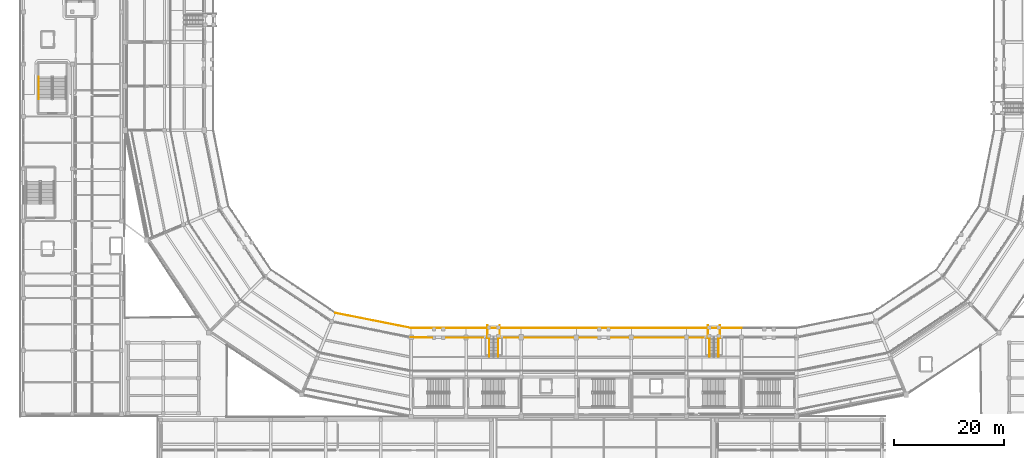
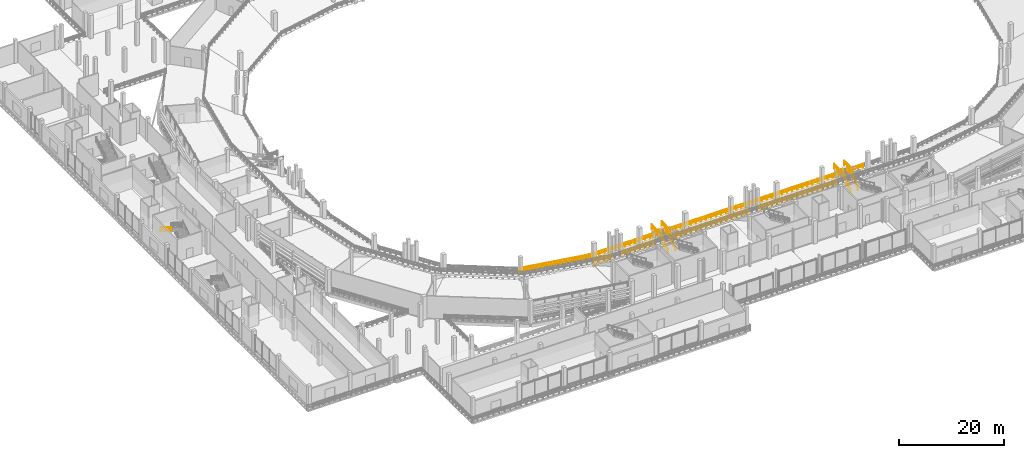
# One storey, part 102 of 127: 16 railings.
"""IFC4 building model written with IfcOpenShell, lengths in metres."""

from ifc_helpers import new_model, si_unit, direction, frame, origin, origin_2d, place, context, subcontext, project, spatial, circle, extrude, material, layer, layer_set, type_object, element, save


model = new_model("IFC4")

# Units and contexts
model_context = context("Model", 3, precision=1e-05, world=origin(), true_north=direction((0.0, 1.0)))
body_context = subcontext(model_context, "Body", "Model", "MODEL_VIEW")
ifc_project = project(units=[si_unit("LENGTHUNIT", "METRE"), si_unit("AREAUNIT", "SQUARE_METRE"), si_unit("VOLUMEUNIT", "CUBIC_METRE"), si_unit("PLANEANGLEUNIT", "RADIAN"), si_unit("MASSUNIT", "GRAM", prefix="KILO")], contexts=[model_context])

# Site, building, storey
site_placement = place(None, origin())
site = spatial("IfcSite", under=ifc_project, at=site_placement, CompositionType="ELEMENT")
building_placement = place(site_placement, origin())
building = spatial("IfcBuilding", under=site, at=building_placement, Name="Candeia Ridge Stadium", CompositionType="ELEMENT")
storey_placement = place(building_placement, frame((0.0, 0.0, 10.800048828125)))
storey = spatial("IfcBuildingStorey", under=building, at=storey_placement, Name="L02", CompositionType="ELEMENT", Elevation=10.800048828125)

# Railings
ifc_material_1 = material(Name="Galvanized Powder-Coated Steel", Category="steel")
ifc_layer_1 = layer(ifc_material_1, 0.074951171875, Name="Galvanized Powder-Coated Steel", Category="steel")
ifc_layer_set_1 = layer_set([ifc_layer_1], Name="Galvanized Powder-Coated Steel")
railing_type_1 = type_object("IfcRailingType", Name="Spectator Bowl Front Guardrail 1120", PredefinedType="GUARDRAIL", material=ifc_layer_set_1)
railing_1_placement = place(storey_placement, frame((57.25390625, 37.814208984375, 0.39990234375)))
element("IfcRailing", 1, at=railing_1_placement, inside=storey, type_object=railing_type_1, Name="Stand T2 front safety guardrail bay 18", PredefinedType="GUARDRAIL", context=body_context, shape_type="SweptSolid", body=[
    extrude(circle(Radius=0.02392578125, at=origin_2d()), frame((0.0, 0.0, 1.09619140625), z_axis=(0.980787153323, -0.195080905976, 0.0), x_axis=(0.195080905976, 0.980787153323, 0.0)), (0.0, 0.0, 1.0), 14.015380859375),
    extrude(circle(Radius=0.02392578125, at=origin_2d()), frame((0.0, 0.0, 0.56005859375), z_axis=(0.980787153323, -0.195080905976, 0.0), x_axis=(0.195080905976, 0.980787153323, 0.0)), (0.0, 0.0, 1.0), 14.015380859375),
    extrude(circle(Radius=0.02099609375, at=origin_2d()), origin(), (0.0, 0.0, 1.0), 1.072021484375),
    extrude(circle(Radius=0.02099609375, at=origin_2d()), frame((1.1455078125, -0.227783203125, 0.0)), (0.0, 0.0, 1.0), 1.072021484375),
    extrude(circle(Radius=0.02099609375, at=origin_2d()), frame((2.291015625, -0.45556640625, 0.0)), (0.0, 0.0, 1.0), 1.072021484375),
    extrude(circle(Radius=0.02099609375, at=origin_2d()), frame((3.4365234375, -0.68359375, 0.0)), (0.0, 0.0, 1.0), 1.072021484375),
    extrude(circle(Radius=0.02099609375, at=origin_2d()), frame((4.58203125, -0.911376953125, 0.0)), (0.0, 0.0, 1.0), 1.072021484375),
    extrude(circle(Radius=0.02099609375, at=origin_2d()), frame((5.7275390625, -1.13916015625, 0.0)), (0.0, 0.0, 1.0), 1.072021484375),
    extrude(circle(Radius=0.02099609375, at=origin_2d()), frame((6.873046875, -1.3671875, 0.0)), (0.0, 0.0, 1.0), 1.072021484375),
    extrude(circle(Radius=0.02099609375, at=origin_2d()), frame((8.0185546875, -1.594970703125, 0.0)), (0.0, 0.0, 1.0), 1.072021484375),
    extrude(circle(Radius=0.02099609375, at=origin_2d()), frame((9.1640625, -1.82275390625, 0.0)), (0.0, 0.0, 1.0), 1.072021484375),
    extrude(circle(Radius=0.02099609375, at=origin_2d()), frame((10.3095703125, -2.050537109375, 0.0)), (0.0, 0.0, 1.0), 1.072021484375),
    extrude(circle(Radius=0.02099609375, at=origin_2d()), frame((11.455078125, -2.2783203125, 0.0)), (0.0, 0.0, 1.0), 1.072021484375),
    extrude(circle(Radius=0.02099609375, at=origin_2d()), frame((12.6005859375, -2.50634765625, 0.0)), (0.0, 0.0, 1.0), 1.072021484375),
    extrude(circle(Radius=0.02099609375, at=origin_2d()), frame((13.74609375, -2.734130859375, 0.0)), (0.0, 0.0, 1.0), 1.072021484375),
])
for number, where, name in (
    (2, (71.0, 35.080078125, 0.39990234375), "Stand T2 front safety guardrail bay 19"),
    (3, (81.0, 35.080078125, 0.39990234375), "Stand T2 front safety guardrail bay 20"),
    (4, (91.0, 35.080078125, 0.39990234375), "Stand T2 front safety guardrail bay 21"),
    (5, (101.0, 35.080078125, 0.39990234375), "Stand T2 front safety guardrail bay 22"),
    (6, (111.0, 35.080078125, 0.39990234375), "Stand T2 front safety guardrail bay 23"),
    (7, (121.0, 35.080078125, 0.39990234375), "Stand T2 front safety guardrail bay 24"),
):
    element("IfcRailing", number, at=place(storey_placement, frame(where)), inside=storey, type_object=railing_type_1, Name=name, PredefinedType="GUARDRAIL", context=body_context, shape_type="SweptSolid", body=[
        extrude(circle(Radius=0.02392578125, at=origin_2d()), frame((0.0, 0.0, 1.09619140625), z_axis=(1.0, 0.0, 0.0), x_axis=(0.0, 1.0, 0.0)), (0.0, 0.0, 1.0), 10.0),
        extrude(circle(Radius=0.02392578125, at=origin_2d()), frame((0.0, 0.0, 0.56005859375), z_axis=(1.0, 0.0, 0.0), x_axis=(0.0, 1.0, 0.0)), (0.0, 0.0, 1.0), 10.0),
        extrude(circle(Radius=0.02099609375, at=origin_2d()), origin(), (0.0, 0.0, 1.0), 1.072021484375),
        extrude(circle(Radius=0.02099609375, at=origin_2d()), frame((1.111083984375, 0.0, 0.0)), (0.0, 0.0, 1.0), 1.072021484375),
        extrude(circle(Radius=0.02099609375, at=origin_2d()), frame((2.22216796875, 0.0, 0.0)), (0.0, 0.0, 1.0), 1.072021484375),
        extrude(circle(Radius=0.02099609375, at=origin_2d()), frame((3.333251953125, 0.0, 0.0)), (0.0, 0.0, 1.0), 1.072021484375),
        extrude(circle(Radius=0.02099609375, at=origin_2d()), frame((4.4443359375, 0.0, 0.0)), (0.0, 0.0, 1.0), 1.072021484375),
        extrude(circle(Radius=0.02099609375, at=origin_2d()), frame((5.5556640625, 0.0, 0.0)), (0.0, 0.0, 1.0), 1.072021484375),
        extrude(circle(Radius=0.02099609375, at=origin_2d()), frame((6.666748046875, 0.0, 0.0)), (0.0, 0.0, 1.0), 1.072021484375),
        extrude(circle(Radius=0.02099609375, at=origin_2d()), frame((7.77783203125, 0.0, 0.0)), (0.0, 0.0, 1.0), 1.072021484375),
        extrude(circle(Radius=0.02099609375, at=origin_2d()), frame((8.888916015625, 0.0, 0.0)), (0.0, 0.0, 1.0), 1.072021484375),
        extrude(circle(Radius=0.02099609375, at=origin_2d()), frame((10.0, 0.0, 0.0)), (0.0, 0.0, 1.0), 1.072021484375),
    ])
railing_2_placement = place(storey_placement, frame((71.0, 33.39990234375, 0.0)))
element("IfcRailing", 8, at=railing_2_placement, inside=storey, type_object=railing_type_1, Name="Deck edge safety guardrail GR-DE-L02-0081", PredefinedType="GUARDRAIL", context=body_context, shape_type="SweptSolid", body=[
    extrude(circle(Radius=0.02392578125, at=origin_2d()), frame((0.0, 0.0, 1.09619140625), z_axis=(0.99978054811, -0.02094888115, 0.0), x_axis=(0.02094888115, 0.99978054811, 0.0)), (0.0, 0.0, 1.0), 3.810791015625),
    extrude(circle(Radius=0.02392578125, at=origin_2d()), frame((0.0, 0.0, 0.56005859375), z_axis=(0.99978054811, -0.02094888115, 0.0), x_axis=(0.02094888115, 0.99978054811, 0.0)), (0.0, 0.0, 1.0), 3.810791015625),
    extrude(circle(Radius=0.02099609375, at=origin_2d()), origin(), (0.0, 0.0, 1.0), 1.072021484375),
    extrude(circle(Radius=0.02099609375, at=origin_2d()), frame((0.95263671875, -0.02001953125, 0.0)), (0.0, 0.0, 1.0), 1.072021484375),
    extrude(circle(Radius=0.02099609375, at=origin_2d()), frame((1.905029296875, -0.0400390625, 0.0)), (0.0, 0.0, 1.0), 1.072021484375),
    extrude(circle(Radius=0.02099609375, at=origin_2d()), frame((2.857421875, -0.059814453125, 0.0)), (0.0, 0.0, 1.0), 1.072021484375),
    extrude(circle(Radius=0.02099609375, at=origin_2d()), frame((3.81005859375, -0.079833984375, 0.0)), (0.0, 0.0, 1.0), 1.072021484375),
])
railing_3_placement = place(storey_placement, frame((77.18994140625, 33.320068359375, 0.0)))
element("IfcRailing", 9, at=railing_3_placement, inside=storey, type_object=railing_type_1, Name="Deck edge safety guardrail GR-DE-L02-0082", PredefinedType="GUARDRAIL", context=body_context, shape_type="SweptSolid", body=[
    extrude(circle(Radius=0.02392578125, at=origin_2d()), frame((0.0, 0.0, 1.09619140625), z_axis=(1.0, 0.0, 0.0), x_axis=(0.0, 1.0, 0.0)), (0.0, 0.0, 1.0), 6.90771484375),
    extrude(circle(Radius=0.02392578125, at=origin_2d()), frame((0.0, 0.0, 0.56005859375), z_axis=(1.0, 0.0, 0.0), x_axis=(0.0, 1.0, 0.0)), (0.0, 0.0, 1.0), 6.90771484375),
    extrude(circle(Radius=0.02099609375, at=origin_2d()), origin(), (0.0, 0.0, 1.0), 1.072021484375),
    extrude(circle(Radius=0.02099609375, at=origin_2d()), frame((1.1513671875, 0.0, 0.0)), (0.0, 0.0, 1.0), 1.072021484375),
    extrude(circle(Radius=0.02099609375, at=origin_2d()), frame((2.302490234375, 0.0, 0.0)), (0.0, 0.0, 1.0), 1.072021484375),
    extrude(circle(Radius=0.02099609375, at=origin_2d()), frame((3.453857421875, 0.0, 0.0)), (0.0, 0.0, 1.0), 1.072021484375),
    extrude(circle(Radius=0.02099609375, at=origin_2d()), frame((4.605224609375, 0.0, 0.0)), (0.0, 0.0, 1.0), 1.072021484375),
    extrude(circle(Radius=0.02099609375, at=origin_2d()), frame((5.75634765625, 0.0, 0.0)), (0.0, 0.0, 1.0), 1.072021484375),
    extrude(circle(Radius=0.02099609375, at=origin_2d()), frame((6.90771484375, 0.0, 0.0)), (0.0, 0.0, 1.0), 1.072021484375),
])
railing_4_placement = place(storey_placement, frame((87.90234375, 33.320068359375, 0.0)))
element("IfcRailing", 10, at=railing_4_placement, inside=storey, type_object=railing_type_1, Name="Deck edge safety guardrail GR-DE-L02-0083", PredefinedType="GUARDRAIL", context=body_context, shape_type="SweptSolid", body=[
    extrude(circle(Radius=0.02392578125, at=origin_2d()), frame((0.0, 0.0, 1.09619140625), z_axis=(1.0, 0.0, 0.0), x_axis=(0.0, 1.0, 0.0)), (0.0, 0.0, 1.0), 16.90771484375),
    extrude(circle(Radius=0.02392578125, at=origin_2d()), frame((0.0, 0.0, 0.56005859375), z_axis=(1.0, 0.0, 0.0), x_axis=(0.0, 1.0, 0.0)), (0.0, 0.0, 1.0), 16.90771484375),
    extrude(circle(Radius=0.02099609375, at=origin_2d()), origin(), (0.0, 0.0, 1.0), 1.072021484375),
    extrude(circle(Radius=0.02099609375, at=origin_2d()), frame((1.127197265625, 0.0, 0.0)), (0.0, 0.0, 1.0), 1.072021484375),
    extrude(circle(Radius=0.02099609375, at=origin_2d()), frame((2.25439453125, 0.0, 0.0)), (0.0, 0.0, 1.0), 1.072021484375),
    extrude(circle(Radius=0.02099609375, at=origin_2d()), frame((3.381591796875, 0.0, 0.0)), (0.0, 0.0, 1.0), 1.072021484375),
    extrude(circle(Radius=0.02099609375, at=origin_2d()), frame((4.5087890625, 0.0, 0.0)), (0.0, 0.0, 1.0), 1.072021484375),
    extrude(circle(Radius=0.02099609375, at=origin_2d()), frame((5.635986328125, 0.0, 0.0)), (0.0, 0.0, 1.0), 1.072021484375),
    extrude(circle(Radius=0.02099609375, at=origin_2d()), frame((6.76318359375, 0.0, 0.0)), (0.0, 0.0, 1.0), 1.072021484375),
    extrude(circle(Radius=0.02099609375, at=origin_2d()), frame((7.890380859375, 0.0, 0.0)), (0.0, 0.0, 1.0), 1.072021484375),
    extrude(circle(Radius=0.02099609375, at=origin_2d()), frame((9.017333984375, 0.0, 0.0)), (0.0, 0.0, 1.0), 1.072021484375),
    extrude(circle(Radius=0.02099609375, at=origin_2d()), frame((10.14453125, 0.0, 0.0)), (0.0, 0.0, 1.0), 1.072021484375),
    extrude(circle(Radius=0.02099609375, at=origin_2d()), frame((11.271728515625, 0.0, 0.0)), (0.0, 0.0, 1.0), 1.072021484375),
    extrude(circle(Radius=0.02099609375, at=origin_2d()), frame((12.39892578125, 0.0, 0.0)), (0.0, 0.0, 1.0), 1.072021484375),
    extrude(circle(Radius=0.02099609375, at=origin_2d()), frame((13.526123046875, 0.0, 0.0)), (0.0, 0.0, 1.0), 1.072021484375),
    extrude(circle(Radius=0.02099609375, at=origin_2d()), frame((14.6533203125, 0.0, 0.0)), (0.0, 0.0, 1.0), 1.072021484375),
    extrude(circle(Radius=0.02099609375, at=origin_2d()), frame((15.780517578125, 0.0, 0.0)), (0.0, 0.0, 1.0), 1.072021484375),
    extrude(circle(Radius=0.02099609375, at=origin_2d()), frame((16.90771484375, 0.0, 0.0)), (0.0, 0.0, 1.0), 1.072021484375),
])
railing_5_placement = place(storey_placement, frame((107.18994140625, 33.320068359375, 0.0)))
element("IfcRailing", 11, at=railing_5_placement, inside=storey, type_object=railing_type_1, Name="Deck edge safety guardrail GR-DE-L02-0084", PredefinedType="GUARDRAIL", context=body_context, shape_type="SweptSolid", body=[
    extrude(circle(Radius=0.02392578125, at=origin_2d()), frame((0.0, 0.0, 1.09619140625), z_axis=(1.0, 0.0, 0.0), x_axis=(0.0, 1.0, 0.0)), (0.0, 0.0, 1.0), 16.90771484375),
    extrude(circle(Radius=0.02392578125, at=origin_2d()), frame((0.0, 0.0, 0.56005859375), z_axis=(1.0, 0.0, 0.0), x_axis=(0.0, 1.0, 0.0)), (0.0, 0.0, 1.0), 16.90771484375),
    extrude(circle(Radius=0.02099609375, at=origin_2d()), origin(), (0.0, 0.0, 1.0), 1.072021484375),
    extrude(circle(Radius=0.02099609375, at=origin_2d()), frame((1.127197265625, 0.0, 0.0)), (0.0, 0.0, 1.0), 1.072021484375),
    extrude(circle(Radius=0.02099609375, at=origin_2d()), frame((2.25439453125, 0.0, 0.0)), (0.0, 0.0, 1.0), 1.072021484375),
    extrude(circle(Radius=0.02099609375, at=origin_2d()), frame((3.381591796875, 0.0, 0.0)), (0.0, 0.0, 1.0), 1.072021484375),
    extrude(circle(Radius=0.02099609375, at=origin_2d()), frame((4.5087890625, 0.0, 0.0)), (0.0, 0.0, 1.0), 1.072021484375),
    extrude(circle(Radius=0.02099609375, at=origin_2d()), frame((5.635986328125, 0.0, 0.0)), (0.0, 0.0, 1.0), 1.072021484375),
    extrude(circle(Radius=0.02099609375, at=origin_2d()), frame((6.76318359375, 0.0, 0.0)), (0.0, 0.0, 1.0), 1.072021484375),
    extrude(circle(Radius=0.02099609375, at=origin_2d()), frame((7.890380859375, 0.0, 0.0)), (0.0, 0.0, 1.0), 1.072021484375),
    extrude(circle(Radius=0.02099609375, at=origin_2d()), frame((9.017333984375, 0.0, 0.0)), (0.0, 0.0, 1.0), 1.072021484375),
    extrude(circle(Radius=0.02099609375, at=origin_2d()), frame((10.14453125, 0.0, 0.0)), (0.0, 0.0, 1.0), 1.072021484375),
    extrude(circle(Radius=0.02099609375, at=origin_2d()), frame((11.271728515625, 0.0, 0.0)), (0.0, 0.0, 1.0), 1.072021484375),
    extrude(circle(Radius=0.02099609375, at=origin_2d()), frame((12.39892578125, 0.0, 0.0)), (0.0, 0.0, 1.0), 1.072021484375),
    extrude(circle(Radius=0.02099609375, at=origin_2d()), frame((13.526123046875, 0.0, 0.0)), (0.0, 0.0, 1.0), 1.072021484375),
    extrude(circle(Radius=0.02099609375, at=origin_2d()), frame((14.6533203125, 0.0, 0.0)), (0.0, 0.0, 1.0), 1.072021484375),
    extrude(circle(Radius=0.02099609375, at=origin_2d()), frame((15.780517578125, 0.0, 0.0)), (0.0, 0.0, 1.0), 1.072021484375),
    extrude(circle(Radius=0.02099609375, at=origin_2d()), frame((16.90771484375, 0.0, 0.0)), (0.0, 0.0, 1.0), 1.072021484375),
])
ifc_material_2 = material(Name="Brushed Stainless Steel", Category="steel")
ifc_layer_2 = layer(ifc_material_2, 0.048095703125, Name="Brushed Stainless Steel", Category="steel")
ifc_layer_set_2 = layer_set([ifc_layer_2], Name="Brushed Stainless Steel")
railing_type_2 = type_object("IfcRailingType", Name="Stair Wall & Flight Handrail 900", PredefinedType="HANDRAIL", material=ifc_layer_set_2)
railing_6_placement = place(storey_placement, frame((3.39990234375, 80.7099609375, 2.8798828125)))
element("IfcRailing", 12, at=railing_6_placement, inside=storey, type_object=railing_type_2, Name="L02 ST07 stair handrail 2", PredefinedType="HANDRAIL", context=body_context, shape_type="SweptSolid", body=[
    extrude(circle(Radius=0.02392578125, at=origin_2d()), frame((0.0, 0.0, 0.8759765625), z_axis=(0.0, -0.849641744969, 0.527360318194), x_axis=(1.0, 0.0, 0.0)), (0.0, 0.0, 1.0), 4.778564453125),
    extrude(circle(Radius=0.02099609375, at=origin_2d()), origin(), (0.0, 0.0, 1.0), 0.851806640625),
    extrude(circle(Radius=0.02099609375, at=origin_2d()), frame((0.0, -1.01513671875, 0.6298828125)), (0.0, 0.0, 1.0), 0.851806640625),
    extrude(circle(Radius=0.02099609375, at=origin_2d()), frame((0.0, -2.030029296875, 1.260009765625)), (0.0, 0.0, 1.0), 0.851806640625),
    extrude(circle(Radius=0.02099609375, at=origin_2d()), frame((0.0, -3.044921875, 1.89013671875)), (0.0, 0.0, 1.0), 0.851806640625),
    extrude(circle(Radius=0.02099609375, at=origin_2d()), frame((0.0, -4.06005859375, 2.52001953125)), (0.0, 0.0, 1.0), 0.851806640625),
])
ifc_layer_3 = layer(ifc_material_1, 0.070068359375, Name="Galvanized Powder-Coated Steel", Category="steel")
ifc_layer_set_3 = layer_set([ifc_layer_3], Name="Galvanized Powder-Coated Steel")
railing_type_3 = type_object("IfcRailingType", Name="Vomitory Portal Guardrail 1100", PredefinedType="GUARDRAIL", material=ifc_layer_set_3)
railing_7_placement = place(storey_placement, frame((85.179931640625, 29.860107421875, 0.0)))
element("IfcRailing", 13, at=railing_7_placement, inside=storey, type_object=railing_type_3, Name="Vomitory stair & landing side guardrail VS22-L", PredefinedType="GUARDRAIL", context=body_context, shape_type="SweptSolid", body=[
    extrude(circle(Radius=0.02392578125, at=origin_2d()), frame((0.0, 0.0, 1.076171875), z_axis=(0.0, 0.836533807629, 0.547915311607), x_axis=(-1.0, 0.0, 0.0)), (0.0, 0.0, 1.0), 4.088134765625),
    extrude(circle(Radius=0.02392578125, at=origin_2d()), frame((0.0, 0.0, 0.550048828125), z_axis=(0.0, 0.836533807629, 0.547915311607), x_axis=(-1.0, 0.0, 0.0)), (0.0, 0.0, 1.0), 4.088134765625),
    extrude(circle(Radius=0.02392578125, at=origin_2d()), frame((0.0, 3.419921875, 3.31591796875), z_axis=(-0.989932225045, -0.141542183877, 0.0), x_axis=(0.141542183877, -0.989932225045, 0.0)), (0.0, 0.0, 1.0), 0.282958984375),
    extrude(circle(Radius=0.02392578125, at=origin_2d()), frame((0.0, 3.419921875, 2.7900390625), z_axis=(-0.989932225045, -0.141542183877, 0.0), x_axis=(0.141542183877, -0.989932225045, 0.0)), (0.0, 0.0, 1.0), 0.282958984375),
    extrude(circle(Radius=0.02392578125, at=origin_2d()), frame((-0.280029296875, 3.3798828125, 3.31591796875), z_axis=(0.0, 1.0, 0.0), x_axis=(-1.0, 0.0, 0.0)), (0.0, 0.0, 1.0), 2.320068359375),
    extrude(circle(Radius=0.02392578125, at=origin_2d()), frame((-0.280029296875, 3.3798828125, 2.7900390625), z_axis=(0.0, 1.0, 0.0), x_axis=(-1.0, 0.0, 0.0)), (0.0, 0.0, 1.0), 2.320068359375),
    extrude(circle(Radius=0.02099609375, at=origin_2d()), origin(), (0.0, 0.0, 1.0), 1.052001953125),
    extrude(circle(Radius=0.02099609375, at=origin_2d()), frame((0.0, 0.85498046875, 0.56005859375)), (0.0, 0.0, 1.0), 1.052001953125),
    extrude(circle(Radius=0.02099609375, at=origin_2d()), frame((0.0, 1.7099609375, 1.1201171875)), (0.0, 0.0, 1.0), 1.052001953125),
    extrude(circle(Radius=0.02099609375, at=origin_2d()), frame((0.0, 2.56494140625, 1.679931640625)), (0.0, 0.0, 1.0), 1.052001953125),
    extrude(circle(Radius=0.02099609375, at=origin_2d()), frame((0.0, 3.419921875, 2.239990234375)), (0.0, 0.0, 1.0), 1.052001953125),
    extrude(circle(Radius=0.02099609375, at=origin_2d()), frame((-0.280029296875, 3.3798828125, 2.239990234375)), (0.0, 0.0, 1.0), 1.052001953125),
    extrude(circle(Radius=0.02099609375, at=origin_2d()), frame((-0.280029296875, 4.5400390625, 2.239990234375)), (0.0, 0.0, 1.0), 1.052001953125),
    extrude(circle(Radius=0.02099609375, at=origin_2d()), frame((-0.280029296875, 5.699951171875, 2.239990234375)), (0.0, 0.0, 1.0), 1.052001953125),
])
railing_8_placement = place(storey_placement, frame((86.820068359375, 29.860107421875, 0.0)))
element("IfcRailing", 14, at=railing_8_placement, inside=storey, type_object=railing_type_3, Name="Vomitory stair & landing side guardrail VS22-R", PredefinedType="GUARDRAIL", context=body_context, shape_type="SweptSolid", body=[
    extrude(circle(Radius=0.02392578125, at=origin_2d()), frame((0.0, 0.0, 1.076171875), z_axis=(0.0, 0.836533807629, 0.547915311607), x_axis=(-1.0, 0.0, 0.0)), (0.0, 0.0, 1.0), 4.088134765625),
    extrude(circle(Radius=0.02392578125, at=origin_2d()), frame((0.0, 0.0, 0.550048828125), z_axis=(0.0, 0.836533807629, 0.547915311607), x_axis=(-1.0, 0.0, 0.0)), (0.0, 0.0, 1.0), 4.088134765625),
    extrude(circle(Radius=0.02392578125, at=origin_2d()), frame((0.0, 3.419921875, 3.31591796875), z_axis=(0.989932225045, -0.141542183877, 0.0), x_axis=(0.141542183877, 0.989932225045, 0.0)), (0.0, 0.0, 1.0), 0.282958984375),
    extrude(circle(Radius=0.02392578125, at=origin_2d()), frame((0.0, 3.419921875, 2.7900390625), z_axis=(0.989932225045, -0.141542183877, 0.0), x_axis=(0.141542183877, 0.989932225045, 0.0)), (0.0, 0.0, 1.0), 0.282958984375),
    extrude(circle(Radius=0.02392578125, at=origin_2d()), frame((0.280029296875, 3.3798828125, 3.31591796875), z_axis=(0.0, 1.0, 0.0), x_axis=(-1.0, 0.0, 0.0)), (0.0, 0.0, 1.0), 2.320068359375),
    extrude(circle(Radius=0.02392578125, at=origin_2d()), frame((0.280029296875, 3.3798828125, 2.7900390625), z_axis=(0.0, 1.0, 0.0), x_axis=(-1.0, 0.0, 0.0)), (0.0, 0.0, 1.0), 2.320068359375),
    extrude(circle(Radius=0.02099609375, at=origin_2d()), origin(), (0.0, 0.0, 1.0), 1.052001953125),
    extrude(circle(Radius=0.02099609375, at=origin_2d()), frame((0.0, 0.85498046875, 0.56005859375)), (0.0, 0.0, 1.0), 1.052001953125),
    extrude(circle(Radius=0.02099609375, at=origin_2d()), frame((0.0, 1.7099609375, 1.1201171875)), (0.0, 0.0, 1.0), 1.052001953125),
    extrude(circle(Radius=0.02099609375, at=origin_2d()), frame((0.0, 2.56494140625, 1.679931640625)), (0.0, 0.0, 1.0), 1.052001953125),
    extrude(circle(Radius=0.02099609375, at=origin_2d()), frame((0.0, 3.419921875, 2.239990234375)), (0.0, 0.0, 1.0), 1.052001953125),
    extrude(circle(Radius=0.02099609375, at=origin_2d()), frame((0.280029296875, 3.3798828125, 2.239990234375)), (0.0, 0.0, 1.0), 1.052001953125),
    extrude(circle(Radius=0.02099609375, at=origin_2d()), frame((0.280029296875, 4.5400390625, 2.239990234375)), (0.0, 0.0, 1.0), 1.052001953125),
    extrude(circle(Radius=0.02099609375, at=origin_2d()), frame((0.280029296875, 5.699951171875, 2.239990234375)), (0.0, 0.0, 1.0), 1.052001953125),
])
railing_9_placement = place(storey_placement, frame((125.179931640625, 29.860107421875, 0.0)))
element("IfcRailing", 15, at=railing_9_placement, inside=storey, type_object=railing_type_3, Name="Vomitory stair & landing side guardrail VS23-L", PredefinedType="GUARDRAIL", context=body_context, shape_type="SweptSolid", body=[
    extrude(circle(Radius=0.02392578125, at=origin_2d()), frame((0.0, 0.0, 1.076171875), z_axis=(0.0, 0.836533807629, 0.547915311607), x_axis=(-1.0, 0.0, 0.0)), (0.0, 0.0, 1.0), 4.088134765625),
    extrude(circle(Radius=0.02392578125, at=origin_2d()), frame((0.0, 0.0, 0.550048828125), z_axis=(0.0, 0.836533807629, 0.547915311607), x_axis=(-1.0, 0.0, 0.0)), (0.0, 0.0, 1.0), 4.088134765625),
    extrude(circle(Radius=0.02392578125, at=origin_2d()), frame((0.0, 3.419921875, 3.31591796875), z_axis=(-0.989932225045, -0.141542183877, 0.0), x_axis=(0.141542183877, -0.989932225045, 0.0)), (0.0, 0.0, 1.0), 0.282958984375),
    extrude(circle(Radius=0.02392578125, at=origin_2d()), frame((0.0, 3.419921875, 2.7900390625), z_axis=(-0.989932225045, -0.141542183877, 0.0), x_axis=(0.141542183877, -0.989932225045, 0.0)), (0.0, 0.0, 1.0), 0.282958984375),
    extrude(circle(Radius=0.02392578125, at=origin_2d()), frame((-0.280029296875, 3.3798828125, 3.31591796875), z_axis=(0.0, 1.0, 0.0), x_axis=(-1.0, 0.0, 0.0)), (0.0, 0.0, 1.0), 2.320068359375),
    extrude(circle(Radius=0.02392578125, at=origin_2d()), frame((-0.280029296875, 3.3798828125, 2.7900390625), z_axis=(0.0, 1.0, 0.0), x_axis=(-1.0, 0.0, 0.0)), (0.0, 0.0, 1.0), 2.320068359375),
    extrude(circle(Radius=0.02099609375, at=origin_2d()), origin(), (0.0, 0.0, 1.0), 1.052001953125),
    extrude(circle(Radius=0.02099609375, at=origin_2d()), frame((0.0, 0.85498046875, 0.56005859375)), (0.0, 0.0, 1.0), 1.052001953125),
    extrude(circle(Radius=0.02099609375, at=origin_2d()), frame((0.0, 1.7099609375, 1.1201171875)), (0.0, 0.0, 1.0), 1.052001953125),
    extrude(circle(Radius=0.02099609375, at=origin_2d()), frame((0.0, 2.56494140625, 1.679931640625)), (0.0, 0.0, 1.0), 1.052001953125),
    extrude(circle(Radius=0.02099609375, at=origin_2d()), frame((0.0, 3.419921875, 2.239990234375)), (0.0, 0.0, 1.0), 1.052001953125),
    extrude(circle(Radius=0.02099609375, at=origin_2d()), frame((-0.280029296875, 3.3798828125, 2.239990234375)), (0.0, 0.0, 1.0), 1.052001953125),
    extrude(circle(Radius=0.02099609375, at=origin_2d()), frame((-0.280029296875, 4.5400390625, 2.239990234375)), (0.0, 0.0, 1.0), 1.052001953125),
    extrude(circle(Radius=0.02099609375, at=origin_2d()), frame((-0.280029296875, 5.699951171875, 2.239990234375)), (0.0, 0.0, 1.0), 1.052001953125),
])
railing_10_placement = place(storey_placement, frame((126.820068359375, 29.860107421875, 0.0)))
element("IfcRailing", 16, at=railing_10_placement, inside=storey, type_object=railing_type_3, Name="Vomitory stair & landing side guardrail VS23-R", PredefinedType="GUARDRAIL", context=body_context, shape_type="SweptSolid", body=[
    extrude(circle(Radius=0.02392578125, at=origin_2d()), frame((0.0, 0.0, 1.076171875), z_axis=(0.0, 0.836533807629, 0.547915311607), x_axis=(-1.0, 0.0, 0.0)), (0.0, 0.0, 1.0), 4.088134765625),
    extrude(circle(Radius=0.02392578125, at=origin_2d()), frame((0.0, 0.0, 0.550048828125), z_axis=(0.0, 0.836533807629, 0.547915311607), x_axis=(-1.0, 0.0, 0.0)), (0.0, 0.0, 1.0), 4.088134765625),
    extrude(circle(Radius=0.02392578125, at=origin_2d()), frame((0.0, 3.419921875, 3.31591796875), z_axis=(0.989932225045, -0.141542183877, 0.0), x_axis=(0.141542183877, 0.989932225045, 0.0)), (0.0, 0.0, 1.0), 0.282958984375),
    extrude(circle(Radius=0.02392578125, at=origin_2d()), frame((0.0, 3.419921875, 2.7900390625), z_axis=(0.989932225045, -0.141542183877, 0.0), x_axis=(0.141542183877, 0.989932225045, 0.0)), (0.0, 0.0, 1.0), 0.282958984375),
    extrude(circle(Radius=0.02392578125, at=origin_2d()), frame((0.280029296875, 3.3798828125, 3.31591796875), z_axis=(0.0, 1.0, 0.0), x_axis=(-1.0, 0.0, 0.0)), (0.0, 0.0, 1.0), 2.320068359375),
    extrude(circle(Radius=0.02392578125, at=origin_2d()), frame((0.280029296875, 3.3798828125, 2.7900390625), z_axis=(0.0, 1.0, 0.0), x_axis=(-1.0, 0.0, 0.0)), (0.0, 0.0, 1.0), 2.320068359375),
    extrude(circle(Radius=0.02099609375, at=origin_2d()), origin(), (0.0, 0.0, 1.0), 1.052001953125),
    extrude(circle(Radius=0.02099609375, at=origin_2d()), frame((0.0, 0.85498046875, 0.56005859375)), (0.0, 0.0, 1.0), 1.052001953125),
    extrude(circle(Radius=0.02099609375, at=origin_2d()), frame((0.0, 1.7099609375, 1.1201171875)), (0.0, 0.0, 1.0), 1.052001953125),
    extrude(circle(Radius=0.02099609375, at=origin_2d()), frame((0.0, 2.56494140625, 1.679931640625)), (0.0, 0.0, 1.0), 1.052001953125),
    extrude(circle(Radius=0.02099609375, at=origin_2d()), frame((0.0, 3.419921875, 2.239990234375)), (0.0, 0.0, 1.0), 1.052001953125),
    extrude(circle(Radius=0.02099609375, at=origin_2d()), frame((0.280029296875, 3.3798828125, 2.239990234375)), (0.0, 0.0, 1.0), 1.052001953125),
    extrude(circle(Radius=0.02099609375, at=origin_2d()), frame((0.280029296875, 4.5400390625, 2.239990234375)), (0.0, 0.0, 1.0), 1.052001953125),
    extrude(circle(Radius=0.02099609375, at=origin_2d()), frame((0.280029296875, 5.699951171875, 2.239990234375)), (0.0, 0.0, 1.0), 1.052001953125),
])

save(model, "model.ifc")
